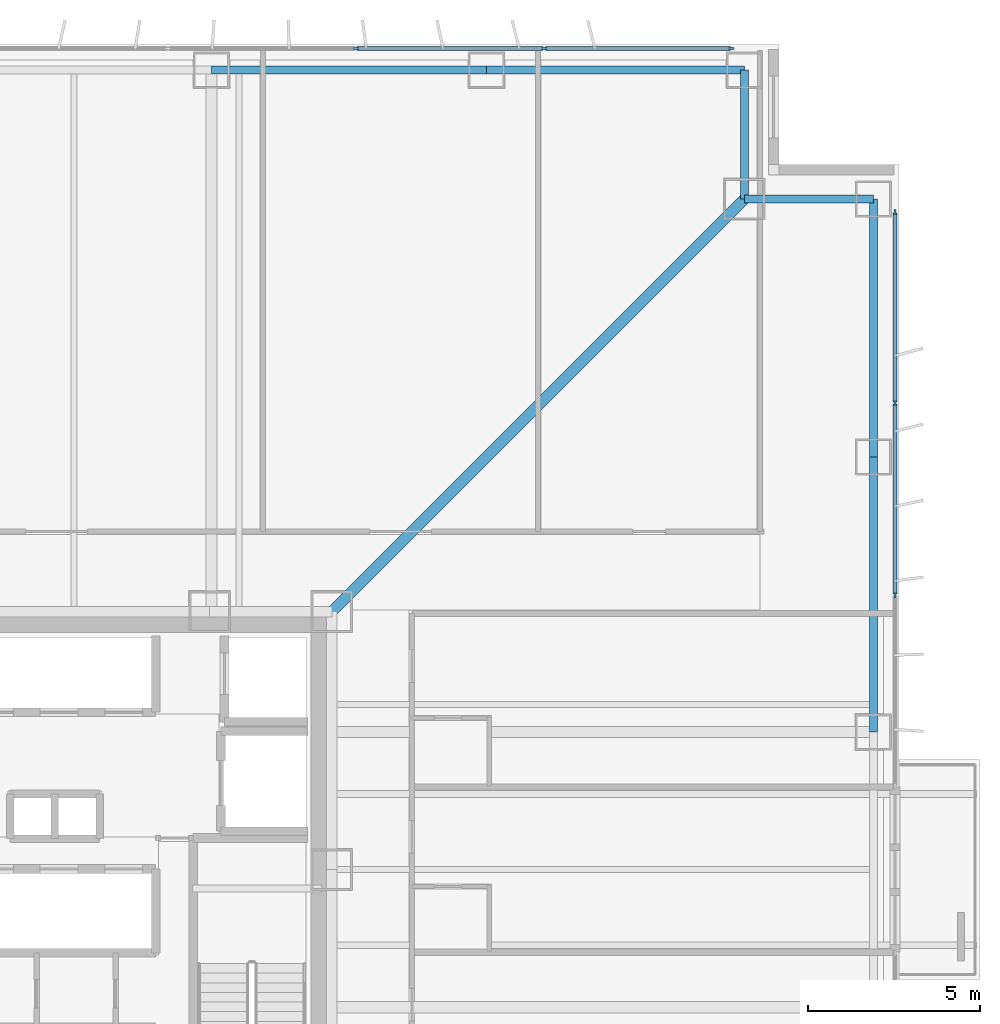
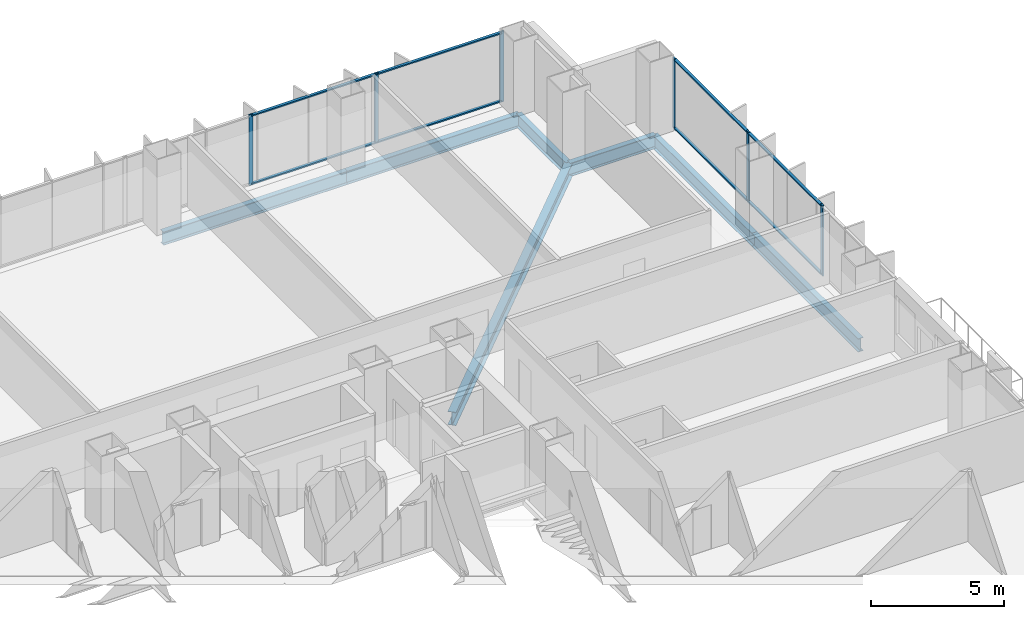
# One storey, part 9 of 16: 14 members, 7 beams, 2 elements without a shape of their own.
"""IFC4 building model written with IfcOpenShell, lengths in metres."""

from ifc_helpers import new_model, si_unit, direction, frame, origin, origin_2d, place, context, subcontext, project, spatial, rectangle, i_section, extrude, material, layer, layer_set, material_profile, profile_set, type_object, element, aggregate, save


model = new_model("IFC4")

# Units and contexts
model_context = context("Model", 3, precision=1e-05, world=origin(), true_north=direction((0.0, 1.0)))
body_context = subcontext(model_context, "Body", "Model", "MODEL_VIEW")
ifc_project = project(units=[si_unit("LENGTHUNIT", "METRE"), si_unit("AREAUNIT", "SQUARE_METRE"), si_unit("VOLUMEUNIT", "CUBIC_METRE"), si_unit("PLANEANGLEUNIT", "RADIAN"), si_unit("MASSUNIT", "GRAM", prefix="KILO")], contexts=[model_context])

# Site, building, storey
site_placement = place(None, origin())
site = spatial("IfcSite", under=ifc_project, at=site_placement, CompositionType="ELEMENT")
building_placement = place(site_placement, origin())
building = spatial("IfcBuilding", under=site, at=building_placement, Name="Trevonay Congress Spire", CompositionType="ELEMENT")
storey_placement = place(building_placement, frame((0.0, 0.0, 48.0)))
storey = spatial("IfcBuildingStorey", under=building, at=storey_placement, Name="L11", CompositionType="ELEMENT", Elevation=48.0)

# Beams
ifc_material_1 = material(Name="Steel ASTM A572 Grade 50", Category="steel")
ifc_material_profile_1 = material_profile(ifc_material_1, i_section(OverallWidth=0.324951171875, OverallDepth=0.615966796875, WebThickness=0.013916015625, FlangeThickness=0.021484375, FilletRadius=0.01806640625, at=origin_2d()), Name="W610x174")
ifc_profile_set_1 = profile_set([ifc_material_profile_1], Name="Steel ASTM A572 Grade 50")
beam_type_1 = type_object("IfcBeamType", Name="BM-GIRD-W610X174", PredefinedType="BEAM", material=ifc_profile_set_1)
beam_placement = place(storey_placement, frame((7.5, 7.5, -0.55810546875), z_axis=(0.707106781187, 0.707106781187, 0.0), x_axis=(-0.707106781187, 0.707106781187, 0.0)))
element("IfcBeam", 1, at=beam_placement, inside=storey, type_object=beam_type_1, Name="L11 structural beam BM-L11-CDNE", PredefinedType="BEAM", context=body_context, shape_type="SweptSolid", body=[
    extrude(i_section(OverallWidth=0.324951171875, OverallDepth=0.615966796875, WebThickness=0.013916015625, FlangeThickness=0.021484375, FilletRadius=0.01806640625, at=origin_2d()), origin(), (0.0, 0.0, 1.0), 16.970458984375),
])
ifc_material_profile_2 = material_profile(ifc_material_1, i_section(OverallWidth=0.22998046875, OverallDepth=0.616943359375, WebThickness=0.01318359375, FlangeThickness=0.022216796875, FilletRadius=0.01611328125, at=origin_2d()), Name="W610x140")
ifc_profile_set_2 = profile_set([ifc_material_profile_2], Name="Steel ASTM A572 Grade 50")
beam_type_2 = type_object("IfcBeamType", Name="BM-RING-W610X140", PredefinedType="BEAM", material=ifc_profile_set_2)
for number, where, z_axis, x_axis, name in (
    (2, (4.0, 23.25, -0.55859375), (1.0, 0.0, 0.0), (0.0, 1.0, 0.0), "L11 structural beam BM-L11-PN4"),
    (3, (23.25, 4.0, -0.55859375), (0.0, 1.0, 0.0), (-1.0, 0.0, 0.0), "L11 structural beam BM-L11-PE4"),
):
    element("IfcBeam", number, at=place(storey_placement, frame(where, z_axis=z_axis, x_axis=x_axis)), inside=storey, type_object=beam_type_2, Name=name, PredefinedType="BEAM", context=body_context, shape_type="SweptSolid", body=[
        extrude(i_section(OverallWidth=0.22998046875, OverallDepth=0.616943359375, WebThickness=0.01318359375, FlangeThickness=0.022216796875, FilletRadius=0.01611328125, at=origin_2d()), origin(), (0.0, 0.0, 1.0), 8.0),
    ])
for number, where, z_axis, x_axis, name in (
    (4, (12.0, 23.25, -0.55859375), (1.0, 0.0, 0.0), (0.0, 1.0, 0.0), "L11 structural beam BM-L11-PN5"),
    (5, (23.25, 12.0, -0.55859375), (0.0, 1.0, 0.0), (-1.0, 0.0, 0.0), "L11 structural beam BM-L11-PE5"),
):
    element("IfcBeam", number, at=place(storey_placement, frame(where, z_axis=z_axis, x_axis=x_axis)), inside=storey, type_object=beam_type_2, Name=name, PredefinedType="BEAM", context=body_context, shape_type="SweptSolid", body=[
        extrude(i_section(OverallWidth=0.22998046875, OverallDepth=0.616943359375, WebThickness=0.01318359375, FlangeThickness=0.022216796875, FilletRadius=0.01611328125, at=origin_2d()), origin(), (0.0, 0.0, 1.0), 7.5),
    ])
for number, where, z_axis, x_axis, name in (
    (6, (19.5, 23.25, -0.55859375), (0.0, -1.0, 0.0), (1.0, 0.0, 0.0), "L11 structural beam BM-L11-N1NE"),
    (7, (23.25, 19.5, -0.55859375), (-1.0, 0.0, 0.0), (0.0, -1.0, 0.0), "L11 structural beam BM-L11-N2NE"),
):
    element("IfcBeam", number, at=place(storey_placement, frame(where, z_axis=z_axis, x_axis=x_axis)), inside=storey, type_object=beam_type_2, Name=name, PredefinedType="BEAM", context=body_context, shape_type="SweptSolid", body=[
        extrude(i_section(OverallWidth=0.22998046875, OverallDepth=0.616943359375, WebThickness=0.01318359375, FlangeThickness=0.022216796875, FilletRadius=0.01611328125, at=origin_2d()), origin(), (0.0, 0.0, 1.0), 3.75),
    ])

# Curtain wall, members
ifc_material_2 = material(Name="Pale Anodised Aluminium EN AW-6063-T6", Category="aluminium")
ifc_layer = layer(ifc_material_2, 0.179931640625, Name="Pale Anodised Aluminium EN AW-6063-T6")
ifc_layer_set = layer_set([ifc_layer], Name="Pale Anodised Aluminium EN AW-6063-T6")
curtain_wall_type = type_object("IfcCurtainWallType", Name="CW-SYS02-HOTEL-PALE-METAL", PredefinedType="NOTDEFINED", material=ifc_layer_set)
curtain_wall_1_placement = place(storey_placement, origin())
curtain_wall_1 = element("IfcCurtainWall", 8, at=curtain_wall_1_placement, inside=storey, type_object=curtain_wall_type, Name="L11 N unitised curtain wall", PredefinedType="NOTDEFINED")
ifc_material_profile_3 = material_profile(ifc_material_2, rectangle(XDim=0.06005859375, YDim=0.159912109375, at=origin_2d()), Name="CW-MULLION-160-ALUMINIUM")
ifc_profile_set_3 = profile_set([ifc_material_profile_3], Name="Pale Anodised Aluminium EN AW-6063-T6")
member_type_1 = type_object("IfcMemberType", Name="CW-MULLION-160-ALUMINIUM", PredefinedType="MULLION", material=ifc_profile_set_3)
member_1_placement = place(storey_placement, frame((8.20703125, 23.8798828125, 0.0), z_axis=(0.0, 0.0, 1.0), x_axis=(0.0, 1.0, 0.0)))
member_1 = element("IfcMember", 9, at=member_1_placement, type_object=member_type_1, Name="CW02 mullion 6", PredefinedType="MULLION", context=body_context, shape_type="SweptSolid", body=[
    extrude(rectangle(XDim=0.06005859375, YDim=0.159912109375, at=origin_2d()), origin(), (0.0, 0.0, 1.0), 3.25),
])
member_2_placement = place(storey_placement, frame((13.678466796875, 23.8798828125, 0.0), z_axis=(0.0, 0.0, 1.0), x_axis=(0.0, 1.0, 0.0)))
member_2 = element("IfcMember", 10, at=member_2_placement, type_object=member_type_1, Name="CW02 mullion 7", PredefinedType="MULLION", context=body_context, shape_type="SweptSolid", body=[
    extrude(rectangle(XDim=0.06005859375, YDim=0.159912109375, at=origin_2d()), origin(), (0.0, 0.0, 1.0), 3.25),
])
member_3_placement = place(storey_placement, frame((19.1201171875, 23.8798828125, 0.0), z_axis=(0.0, 0.0, 1.0), x_axis=(0.0, 1.0, 0.0)))
member_3 = element("IfcMember", 11, at=member_3_placement, type_object=member_type_1, Name="CW02 mullion 8", PredefinedType="MULLION", context=body_context, shape_type="SweptSolid", body=[
    extrude(rectangle(XDim=0.06005859375, YDim=0.159912109375, at=origin_2d()), origin(), (0.0, 0.0, 1.0), 3.25),
])

curtain_wall_2_placement = place(storey_placement, origin())
curtain_wall_2 = element("IfcCurtainWall", 12, at=curtain_wall_2_placement, inside=storey, type_object=curtain_wall_type, Name="L11 EB unitised curtain wall", PredefinedType="NOTDEFINED")
member_4_placement = place(storey_placement, frame((23.8798828125, 7.9833984375, 0.0), z_axis=(0.0, 0.0, 1.0), x_axis=(-1.0, 0.0, 0.0)))
member_4 = element("IfcMember", 13, at=member_4_placement, type_object=member_type_1, Name="CW02 mullion 2", PredefinedType="MULLION", context=body_context, shape_type="SweptSolid", body=[
    extrude(rectangle(XDim=0.06005859375, YDim=0.159912109375, at=origin_2d()), origin(), (0.0, 0.0, 1.0), 3.25),
])
member_5_placement = place(storey_placement, frame((23.8798828125, 13.566650390625, 0.0), z_axis=(0.0, 0.0, 1.0), x_axis=(-1.0, 0.0, 0.0)))
member_5 = element("IfcMember", 14, at=member_5_placement, type_object=member_type_1, Name="CW02 mullion 3", PredefinedType="MULLION", context=body_context, shape_type="SweptSolid", body=[
    extrude(rectangle(XDim=0.06005859375, YDim=0.159912109375, at=origin_2d()), origin(), (0.0, 0.0, 1.0), 3.25),
])
member_6_placement = place(storey_placement, frame((23.8798828125, 19.1201171875, 0.0), z_axis=(0.0, 0.0, 1.0), x_axis=(-1.0, 0.0, 0.0)))
member_6 = element("IfcMember", 15, at=member_6_placement, type_object=member_type_1, Name="CW02 mullion 4", PredefinedType="MULLION", context=body_context, shape_type="SweptSolid", body=[
    extrude(rectangle(XDim=0.06005859375, YDim=0.159912109375, at=origin_2d()), origin(), (0.0, 0.0, 1.0), 3.25),
])

# Member
ifc_material_profile_4 = material_profile(ifc_material_2, rectangle(XDim=0.1201171875, YDim=0.06005859375, at=origin_2d()), Name="CW-TRANSOM-120-ALUMINIUM")
ifc_profile_set_4 = profile_set([ifc_material_profile_4], Name="Pale Anodised Aluminium EN AW-6063-T6")
member_type_2 = type_object("IfcMemberType", Name="CW-TRANSOM-120-ALUMINIUM", PredefinedType="USERDEFINED", material=ifc_profile_set_4)
member_7_placement = place(storey_placement, frame((8.237060546875, 23.8798828125, 0.06005859375), z_axis=(1.0, 0.0, 0.0), x_axis=(0.0, 1.0, 0.0)))
member_7 = element("IfcMember", 16, at=member_7_placement, type_object=member_type_2, Name="CW02 transom 6.1", ObjectType="TRANSOM", PredefinedType="USERDEFINED", context=body_context, shape_type="SweptSolid", body=[
    extrude(rectangle(XDim=0.1201171875, YDim=0.06005859375, at=origin_2d()), origin(), (0.0, 0.0, 1.0), 5.41162109375),
])

member_8_placement = place(storey_placement, frame((8.237060546875, 23.8798828125, 3.18994140625), z_axis=(1.0, 0.0, 0.0), x_axis=(0.0, 1.0, 0.0)))
member_8 = element("IfcMember", 17, at=member_8_placement, type_object=member_type_2, Name="CW02 transom 6.2", ObjectType="TRANSOM", PredefinedType="USERDEFINED", context=body_context, shape_type="SweptSolid", body=[
    extrude(rectangle(XDim=0.1201171875, YDim=0.06005859375, at=origin_2d()), origin(), (0.0, 0.0, 1.0), 5.41162109375),
])

member_9_placement = place(storey_placement, frame((13.70849609375, 23.8798828125, 0.06005859375), z_axis=(1.0, 0.0, 0.0), x_axis=(0.0, 1.0, 0.0)))
member_9 = element("IfcMember", 18, at=member_9_placement, type_object=member_type_2, Name="CW02 transom 7.1", ObjectType="TRANSOM", PredefinedType="USERDEFINED", context=body_context, shape_type="SweptSolid", body=[
    extrude(rectangle(XDim=0.1201171875, YDim=0.06005859375, at=origin_2d()), origin(), (0.0, 0.0, 1.0), 5.381591796875),
])

member_10_placement = place(storey_placement, frame((13.70849609375, 23.8798828125, 3.18994140625), z_axis=(1.0, 0.0, 0.0), x_axis=(0.0, 1.0, 0.0)))
member_10 = element("IfcMember", 19, at=member_10_placement, type_object=member_type_2, Name="CW02 transom 7.2", ObjectType="TRANSOM", PredefinedType="USERDEFINED", context=body_context, shape_type="SweptSolid", body=[
    extrude(rectangle(XDim=0.1201171875, YDim=0.06005859375, at=origin_2d()), origin(), (0.0, 0.0, 1.0), 5.381591796875),
])

aggregate(curtain_wall_1, [member_1, member_2, member_3, member_7, member_8, member_9, member_10])

member_11_placement = place(storey_placement, frame((23.8798828125, 8.013427734375, 0.06005859375), z_axis=(0.0, 1.0, 0.0), x_axis=(-1.0, 0.0, 0.0)))
member_11 = element("IfcMember", 20, at=member_11_placement, type_object=member_type_2, Name="CW02 transom 2.1", ObjectType="TRANSOM", PredefinedType="USERDEFINED", context=body_context, shape_type="SweptSolid", body=[
    extrude(rectangle(XDim=0.1201171875, YDim=0.06005859375, at=origin_2d()), origin(), (0.0, 0.0, 1.0), 5.523193359375),
])

member_12_placement = place(storey_placement, frame((23.8798828125, 8.013427734375, 3.18994140625), z_axis=(0.0, 1.0, 0.0), x_axis=(-1.0, 0.0, 0.0)))
member_12 = element("IfcMember", 21, at=member_12_placement, type_object=member_type_2, Name="CW02 transom 2.2", ObjectType="TRANSOM", PredefinedType="USERDEFINED", context=body_context, shape_type="SweptSolid", body=[
    extrude(rectangle(XDim=0.1201171875, YDim=0.06005859375, at=origin_2d()), origin(), (0.0, 0.0, 1.0), 5.523193359375),
])

member_13_placement = place(storey_placement, frame((23.8798828125, 13.5966796875, 0.06005859375), z_axis=(0.0, 1.0, 0.0), x_axis=(-1.0, 0.0, 0.0)))
member_13 = element("IfcMember", 22, at=member_13_placement, type_object=member_type_2, Name="CW02 transom 3.1", ObjectType="TRANSOM", PredefinedType="USERDEFINED", context=body_context, shape_type="SweptSolid", body=[
    extrude(rectangle(XDim=0.1201171875, YDim=0.06005859375, at=origin_2d()), origin(), (0.0, 0.0, 1.0), 5.493408203125),
])

member_14_placement = place(storey_placement, frame((23.8798828125, 13.5966796875, 3.18994140625), z_axis=(0.0, 1.0, 0.0), x_axis=(-1.0, 0.0, 0.0)))
member_14 = element("IfcMember", 23, at=member_14_placement, type_object=member_type_2, Name="CW02 transom 3.2", ObjectType="TRANSOM", PredefinedType="USERDEFINED", context=body_context, shape_type="SweptSolid", body=[
    extrude(rectangle(XDim=0.1201171875, YDim=0.06005859375, at=origin_2d()), origin(), (0.0, 0.0, 1.0), 5.493408203125),
])

aggregate(curtain_wall_2, [member_4, member_5, member_6, member_11, member_12, member_13, member_14])

save(model, "model.ifc")
